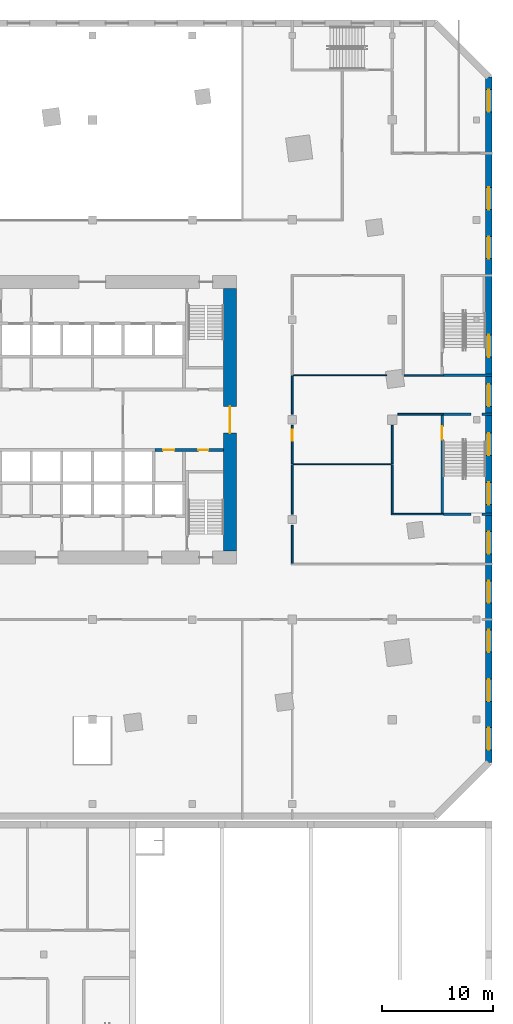
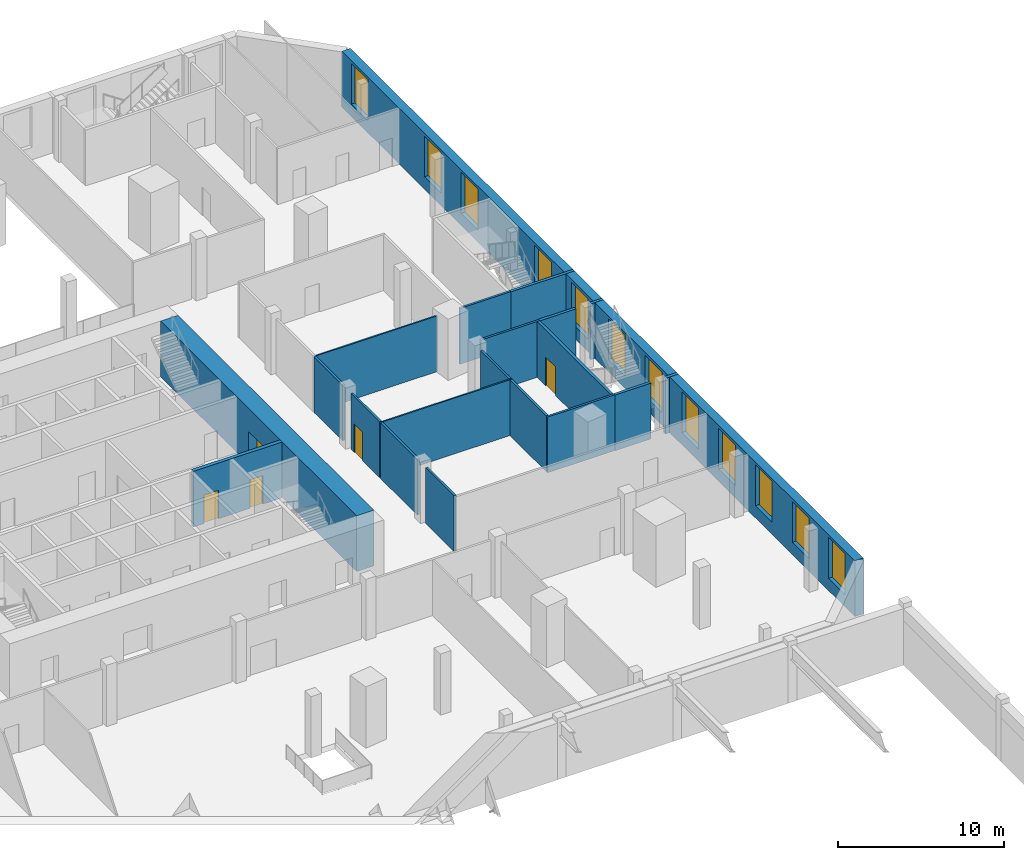
# One storey, part 14 of 27: 20 walls, 12 windows, 5 doors, 17 openings.
"""IFC4 building model written with IfcOpenShell, lengths in metres."""

from ifc_helpers import new_model, si_unit, direction, frame, frame_2d, origin, place, context, subcontext, project, spatial, rectangle, extrude, material, layer, layer_set, type_object, element, fill, save


model = new_model("IFC4")

# Units and contexts
model_context = context("Model", 3, precision=1e-05, world=origin(), true_north=direction((0.0, 1.0)))
body_context = subcontext(model_context, "Body", "Model", "MODEL_VIEW")
ifc_project = project(units=[si_unit("LENGTHUNIT", "METRE"), si_unit("AREAUNIT", "SQUARE_METRE"), si_unit("VOLUMEUNIT", "CUBIC_METRE"), si_unit("PLANEANGLEUNIT", "RADIAN"), si_unit("MASSUNIT", "GRAM", prefix="KILO")], contexts=[model_context])

# Site, building, storey
site_placement = place(None, origin())
site = spatial("IfcSite", under=ifc_project, at=site_placement, CompositionType="ELEMENT")
building_placement = place(site_placement, origin())
building = spatial("IfcBuilding", under=site, at=building_placement, Name="Dilmun Exchange Tower", CompositionType="ELEMENT")
storey_placement = place(building_placement, frame((0.0, 0.0, 4.5)))
storey = spatial("IfcBuildingStorey", under=building, at=storey_placement, Name="L01", CompositionType="ELEMENT", Elevation=4.5)

# Wall, openings, doors
ifc_material_1 = material(Name="Concrete C40/50", Category="concrete")
ifc_layer_1 = layer(ifc_material_1, 0.25)
ifc_layer_set_1 = layer_set([ifc_layer_1], Name="Concrete C40/50")
wall_type_1 = type_object("IfcWallType", Name="Core partition wall 250", PredefinedType="PARTITIONING", material=ifc_layer_set_1)
wall_1_placement = place(storey_placement, frame((5.6298828125, -2.72509765625, 0.0), z_axis=(0.0, 0.0, 1.0), x_axis=(1.0, 0.0, 0.0)))
wall_1 = element("IfcWall", 1, at=wall_1_placement, inside=storey, type_object=wall_type_1, Name="L01 core partition wall 08", PredefinedType="PARTITIONING", context=body_context, shape_type="SweptSolid", body=[
    extrude(rectangle(XDim=6.1650390625, YDim=0.25, at=frame_2d((3.08251953125, 0.0))), origin(), (0.0, 0.0, 1.0), 4.10009765625),
])
opening_1_placement = place(wall_1_placement, frame((0.7451171875, 0.0, 0.0)))
opening_1 = element("IfcOpeningElement", 2, at=opening_1_placement, cuts=wall_1, Name="Opening CD4", PredefinedType="OPENING", context=body_context, shape_type="SweptSolid", body=[
    extrude(rectangle(XDim=1.0, YDim=2.10009765625, at=frame_2d((0.5, 1.050048828125))), frame((0.0, 0.135009765625, 0.0), z_axis=(0.0, -1.0, 0.0), x_axis=(1.0, 0.0, 0.0)), (0.0, 0.0, 1.0), 0.27001953125),
])
opening_2_placement = place(wall_1_placement, frame((3.919921875, 0.0, 0.0)))
opening_2 = element("IfcOpeningElement", 3, at=opening_2_placement, cuts=wall_1, Name="Opening CD6", PredefinedType="OPENING", context=body_context, shape_type="SweptSolid", body=[
    extrude(rectangle(XDim=0.89990234375, YDim=2.10009765625, at=frame_2d((0.449951171875, 1.050048828125))), frame((0.0, 0.135009765625, 0.0), z_axis=(0.0, -1.0, 0.0), x_axis=(1.0, 0.0, 0.0)), (0.0, 0.0, 1.0), 0.27001953125),
])
ifc_material_2 = material(Name="Fire-rated steel door set", Category="steel")
door_type_1 = type_object("IfcDoorType", Name="Core room door 1000x2100", OperationType="SINGLE_SWING_LEFT", PredefinedType="DOOR", material=ifc_material_2)
door_1_placement = place(opening_1_placement, origin())
door_1 = element("IfcDoor", 4, at=door_1_placement, inside=storey, type_object=door_type_1, Name="L01 door Cleaners' store", OperationType="SINGLE_SWING_RIGHT", OverallHeight=2.10009765625, OverallWidth=1.0, PredefinedType="DOOR", context=body_context, shape_type="SweptSolid", body=[
    extrude(rectangle(XDim=1.0, YDim=2.10009765625, at=frame_2d((0.5, 1.050048828125))), frame((0.0, 0.02490234375, 0.0), z_axis=(0.0, -1.0, 0.0), x_axis=(1.0, 0.0, 0.0)), (0.0, 0.0, 1.0), 0.050048828125),
])
fill(opening_1, door_1)
door_type_2 = type_object("IfcDoorType", Name="Core room door 900x2100", OperationType="SINGLE_SWING_LEFT", PredefinedType="DOOR", material=ifc_material_2)
door_2_placement = place(opening_2_placement, origin())
door_2 = element("IfcDoor", 5, at=door_2_placement, inside=storey, type_object=door_type_2, Name="L01 door Comms riser", OperationType="SINGLE_SWING_RIGHT", OverallHeight=2.10009765625, OverallWidth=0.89990234375, PredefinedType="DOOR", context=body_context, shape_type="SweptSolid", body=[
    extrude(rectangle(XDim=0.89990234375, YDim=2.10009765625, at=frame_2d((0.449951171875, 1.050048828125))), frame((0.0, 0.02490234375, 0.0), z_axis=(0.0, -1.0, 0.0), x_axis=(1.0, 0.0, 0.0)), (0.0, 0.0, 1.0), 0.050048828125),
])
fill(opening_2, door_2)

# Wall, opening, door
ifc_material_3 = material(Name="Concrete C80/95", Category="concrete")
ifc_layer_2 = layer(ifc_material_3, 1.199951171875)
ifc_layer_set_2 = layer_set([ifc_layer_2], Name="Concrete C80/95")
wall_type_2 = type_object("IfcWallType", Name="Core shear wall 1200 Concrete C80/95", PredefinedType="SHEAR", material=ifc_layer_set_2)
wall_2_placement = place(storey_placement, frame((12.39990234375, -11.800048828125, 0.0), z_axis=(0.0, 0.0, 1.0), x_axis=(0.0, 1.0, 0.0)))
wall_2 = element("IfcWall", 6, at=wall_2_placement, inside=storey, type_object=wall_type_2, Name="L01 core shear wall E", PredefinedType="SHEAR", context=body_context, shape_type="SweptSolid", body=[
    extrude(rectangle(XDim=23.60009765625, YDim=1.199951171875, at=frame_2d((11.800048828125, 0.0))), origin(), (0.0, 0.0, 1.0), 4.10009765625),
])
opening_3_placement = place(wall_2_placement, frame((10.60009765625, 0.0, 0.0)))
opening_3 = element("IfcOpeningElement", 7, at=opening_3_placement, cuts=wall_2, Name="Opening CD1", PredefinedType="OPENING", context=body_context, shape_type="SweptSolid", body=[
    extrude(rectangle(XDim=2.39990234375, YDim=2.39990234375, at=frame_2d((1.199951171875, 1.199951171875))), frame((0.0, 0.60986328125, 0.0), z_axis=(0.0, -1.0, 0.0), x_axis=(1.0, 0.0, 0.0)), (0.0, 0.0, 1.0), 1.219970703125),
])
door_type_3 = type_object("IfcDoorType", Name="Core lobby door 2400x2400", OperationType="DOUBLE_DOOR_DOUBLE_SWING", PredefinedType="DOOR", material=ifc_material_2)
door_3_placement = place(opening_3_placement, origin())
door_3 = element("IfcDoor", 8, at=door_3_placement, inside=storey, type_object=door_type_3, Name="L01 door Central lift lobby", OperationType="SINGLE_SWING_LEFT", OverallHeight=2.39990234375, OverallWidth=2.39990234375, PredefinedType="DOOR", context=body_context, shape_type="SweptSolid", body=[
    extrude(rectangle(XDim=2.39990234375, YDim=2.39990234375, at=frame_2d((1.199951171875, 1.199951171875))), frame((0.0, 0.02490234375, 0.0), z_axis=(0.0, -1.0, 0.0), x_axis=(1.0, 0.0, 0.0)), (0.0, 0.0, 1.0), 0.050048828125),
])
fill(opening_3, door_3)

# Walls
ifc_material_4 = material(Name="Fire partition EI 60 150 gypsum")
ifc_layer_3 = layer(ifc_material_4, 0.14990234375)
ifc_layer_set_3 = layer_set([ifc_layer_3], Name="Fire partition EI 60 150 gypsum")
wall_type_3 = type_object("IfcWallType", Name="Fire partition EI 60 150 gypsum", PredefinedType="PARTITIONING", material=ifc_layer_set_3)
wall_3_placement = place(storey_placement, frame((26.925048828125, -8.5, 0.0), z_axis=(0.0, 0.0, 1.0), x_axis=(1.0, 0.0, 0.0)))
element("IfcWall", 9, at=wall_3_placement, inside=storey, type_object=wall_type_3, Name="L01 partition", PredefinedType="PARTITIONING", context=body_context, shape_type="SweptSolid", body=[
    extrude(rectangle(XDim=4.675048828125, YDim=0.14990234375, at=frame_2d((2.33740234375, 0.0))), origin(), (0.0, 0.0, 1.0), 4.10009765625),
])
wall_4_placement = place(storey_placement, frame((27.5, 0.5, 0.0), z_axis=(0.0, 0.0, 1.0), x_axis=(1.0, 0.0, 0.0)))
element("IfcWall", 10, at=wall_4_placement, inside=storey, type_object=wall_type_3, Name="L01 partition", PredefinedType="PARTITIONING", context=body_context, shape_type="SweptSolid", body=[
    extrude(rectangle(XDim=4.10009765625, YDim=0.14990234375, at=frame_2d((2.050048828125, 0.0))), origin(), (0.0, 0.0, 1.0), 4.10009765625),
])
wall_5_placement = place(storey_placement, frame((28.074951171875, 4.0, 0.0), z_axis=(0.0, 0.0, 1.0), x_axis=(1.0, 0.0, 0.0)))
element("IfcWall", 11, at=wall_5_placement, inside=storey, type_object=wall_type_3, Name="L01 partition", PredefinedType="PARTITIONING", context=body_context, shape_type="SweptSolid", body=[
    extrude(rectangle(XDim=3.525146484375, YDim=0.14990234375, at=frame_2d((1.7626953125, 0.0))), origin(), (0.0, 0.0, 1.0), 4.10009765625),
])
wall_6_placement = place(storey_placement, frame((18.0, -12.925048828125, 0.0), z_axis=(0.0, 0.0, 1.0), x_axis=(0.0, 1.0, 0.0)))
element("IfcWall", 12, at=wall_6_placement, inside=storey, type_object=wall_type_3, Name="L01 partition", PredefinedType="PARTITIONING", context=body_context, shape_type="SweptSolid", body=[
    extrude(rectangle(XDim=3.425048828125, YDim=0.14990234375, at=frame_2d((1.71240234375, 0.0))), origin(), (0.0, 0.0, 1.0), 4.10009765625),
])
wall_7_placement = place(storey_placement, frame((18.0, -8.5, 0.0), z_axis=(0.0, 0.0, 1.0), x_axis=(0.0, 1.0, 0.0)))
element("IfcWall", 13, at=wall_7_placement, inside=storey, type_object=wall_type_3, Name="L01 partition", PredefinedType="PARTITIONING", context=body_context, shape_type="SweptSolid", body=[
    extrude(rectangle(XDim=4.449951171875, YDim=0.14990234375, at=frame_2d((2.22509765625, 0.0))), origin(), (0.0, 0.0, 1.0), 4.10009765625),
])

# Wall, opening, door
wall_8_placement = place(storey_placement, frame((18.0, -3.949951171875, 0.0), z_axis=(0.0, 0.0, 1.0), x_axis=(0.0, 1.0, 0.0)))
wall_8 = element("IfcWall", 14, at=wall_8_placement, inside=storey, type_object=wall_type_3, Name="L01 partition", PredefinedType="PARTITIONING", context=body_context, shape_type="SweptSolid", body=[
    extrude(rectangle(XDim=3.449951171875, YDim=0.14990234375, at=frame_2d((1.72509765625, 0.0))), origin(), (0.0, 0.0, 1.0), 4.10009765625),
])
opening_4_placement = place(wall_8_placement, frame((2.050048828125, 0.0, 0.0)))
opening_4 = element("IfcOpeningElement", 15, at=opening_4_placement, cuts=wall_8, Name="Opening L01-D020", PredefinedType="OPENING", context=body_context, shape_type="SweptSolid", body=[
    extrude(rectangle(XDim=1.0, YDim=2.10009765625, at=frame_2d((0.5, 1.050048828125))), frame((0.0, 0.0849609375, 0.0), z_axis=(0.0, -1.0, 0.0), x_axis=(1.0, 0.0, 0.0)), (0.0, 0.0, 1.0), 0.169921875),
])
ifc_material_5 = material(Name="Fire door FD60 1000 x 2100")
door_type_4 = type_object("IfcDoorType", Name="Fire door FD60 1000 x 2100", OperationType="SINGLE_SWING_LEFT", PredefinedType="DOOR", material=ifc_material_5)
door_4_placement = place(opening_4_placement, origin())
door_4 = element("IfcDoor", 16, at=door_4_placement, inside=storey, type_object=door_type_4, Name="L01 door L01-D020", OperationType="SINGLE_SWING_RIGHT", OverallHeight=2.10009765625, OverallWidth=1.0, PredefinedType="DOOR", context=body_context, shape_type="SweptSolid", body=[
    extrude(rectangle(XDim=1.0, YDim=2.10009765625, at=frame_2d((0.5, 1.050048828125))), frame((0.0, 0.02490234375, 0.0), z_axis=(0.0, -1.0, 0.0), x_axis=(1.0, 0.0, 0.0)), (0.0, 0.0, 1.0), 0.050048828125),
])
fill(opening_4, door_4)

# Walls
wall_9_placement = place(storey_placement, frame((18.0, 0.5, 0.0), z_axis=(0.0, 0.0, 1.0), x_axis=(0.0, 1.0, 0.0)))
element("IfcWall", 17, at=wall_9_placement, inside=storey, type_object=wall_type_3, Name="L01 partition", PredefinedType="PARTITIONING", context=body_context, shape_type="SweptSolid", body=[
    extrude(rectangle(XDim=3.449951171875, YDim=0.14990234375, at=frame_2d((1.72509765625, 0.0))), origin(), (0.0, 0.0, 1.0), 4.10009765625),
])
wall_10_placement = place(storey_placement, frame((27.0, -8.425048828125, 0.0), z_axis=(0.0, 0.0, 1.0), x_axis=(0.0, 1.0, 0.0)))
element("IfcWall", 18, at=wall_10_placement, inside=storey, type_object=wall_type_3, Name="L01 partition", PredefinedType="PARTITIONING", context=body_context, shape_type="SweptSolid", body=[
    extrude(rectangle(XDim=4.375, YDim=0.14990234375, at=frame_2d((2.1875, 0.0))), origin(), (0.0, 0.0, 1.0), 4.10009765625),
])
wall_11_placement = place(storey_placement, frame((27.0, -3.949951171875, 0.0), z_axis=(0.0, 0.0, 1.0), x_axis=(0.0, 1.0, 0.0)))
element("IfcWall", 19, at=wall_11_placement, inside=storey, type_object=wall_type_3, Name="L01 partition", PredefinedType="PARTITIONING", context=body_context, shape_type="SweptSolid", body=[
    extrude(rectangle(XDim=3.449951171875, YDim=0.14990234375, at=frame_2d((1.72509765625, 0.0))), origin(), (0.0, 0.0, 1.0), 4.10009765625),
])
ifc_material_6 = material(Name="Fire wall EI 120 200 blockwork", Category="masonry")
ifc_layer_4 = layer(ifc_material_6, 0.199951171875)
ifc_layer_set_4 = layer_set([ifc_layer_4], Name="Fire wall EI 120 200 blockwork")
wall_type_4 = type_object("IfcWallType", Name="Fire wall EI 120 200 blockwork", PredefinedType="PARTITIONING", material=ifc_layer_set_4)
wall_12_placement = place(storey_placement, frame((31.60009765625, -8.5, 0.0), z_axis=(0.0, 0.0, 1.0), x_axis=(1.0, 0.0, 0.0)))
element("IfcWall", 20, at=wall_12_placement, inside=storey, type_object=wall_type_4, Name="L01 stair wall", PredefinedType="PARTITIONING", context=body_context, shape_type="SweptSolid", body=[
    extrude(rectangle(XDim=2.5, YDim=0.199951171875, at=frame_2d((1.25, 0.0))), origin(), (0.0, 0.0, 1.0), 4.10009765625),
])
wall_13_placement = place(storey_placement, frame((35.10009765625, -8.5, 0.0), z_axis=(0.0, 0.0, 1.0), x_axis=(1.0, 0.0, 0.0)))
element("IfcWall", 21, at=wall_13_placement, inside=storey, type_object=wall_type_4, Name="L01 stair wall", PredefinedType="PARTITIONING", context=body_context, shape_type="SweptSolid", body=[
    extrude(rectangle(XDim=0.89990234375, YDim=0.199951171875, at=frame_2d((0.449951171875, 0.0))), origin(), (0.0, 0.0, 1.0), 4.10009765625),
])
wall_14_placement = place(storey_placement, frame((31.60009765625, 0.5, 0.0), z_axis=(0.0, 0.0, 1.0), x_axis=(1.0, 0.0, 0.0)))
element("IfcWall", 22, at=wall_14_placement, inside=storey, type_object=wall_type_4, Name="L01 stair wall", PredefinedType="PARTITIONING", context=body_context, shape_type="SweptSolid", body=[
    extrude(rectangle(XDim=2.5, YDim=0.199951171875, at=frame_2d((1.25, 0.0))), origin(), (0.0, 0.0, 1.0), 4.10009765625),
])
wall_15_placement = place(storey_placement, frame((35.10009765625, 0.5, 0.0), z_axis=(0.0, 0.0, 1.0), x_axis=(1.0, 0.0, 0.0)))
element("IfcWall", 23, at=wall_15_placement, inside=storey, type_object=wall_type_4, Name="L01 stair wall", PredefinedType="PARTITIONING", context=body_context, shape_type="SweptSolid", body=[
    extrude(rectangle(XDim=0.89990234375, YDim=0.199951171875, at=frame_2d((0.449951171875, 0.0))), origin(), (0.0, 0.0, 1.0), 4.10009765625),
])
wall_16_placement = place(storey_placement, frame((31.60009765625, 4.0, 0.0), z_axis=(0.0, 0.0, 1.0), x_axis=(1.0, 0.0, 0.0)))
element("IfcWall", 24, at=wall_16_placement, inside=storey, type_object=wall_type_4, Name="L01 stair wall", PredefinedType="PARTITIONING", context=body_context, shape_type="SweptSolid", body=[
    extrude(rectangle(XDim=4.39990234375, YDim=0.199951171875, at=frame_2d((2.199951171875, 0.0))), origin(), (0.0, 0.0, 1.0), 4.10009765625),
])

# Wall, opening, door
wall_17_placement = place(storey_placement, frame((31.5, -8.39990234375, 0.0), z_axis=(0.0, 0.0, 1.0), x_axis=(0.0, 1.0, 0.0)))
wall_17 = element("IfcWall", 25, at=wall_17_placement, inside=storey, type_object=wall_type_4, Name="L01 stair wall", PredefinedType="PARTITIONING", context=body_context, shape_type="SweptSolid", body=[
    extrude(rectangle(XDim=8.824951171875, YDim=0.199951171875, at=frame_2d((4.41259765625, 0.0))), origin(), (0.0, 0.0, 1.0), 4.10009765625),
])
opening_5_placement = place(wall_17_placement, frame((6.60009765625, 0.0, 0.0)))
opening_5 = element("IfcOpeningElement", 26, at=opening_5_placement, cuts=wall_17, Name="Opening L01-D003", PredefinedType="OPENING", context=body_context, shape_type="SweptSolid", body=[
    extrude(rectangle(XDim=1.199951171875, YDim=2.10009765625, at=frame_2d((0.60009765625, 1.050048828125))), frame((0.0, 0.10986328125, 0.0), z_axis=(0.0, -1.0, 0.0), x_axis=(1.0, 0.0, 0.0)), (0.0, 0.0, 1.0), 0.219970703125),
])
ifc_material_7 = material(Name="Stair door FD90 1200 x 2100")
door_type_5 = type_object("IfcDoorType", Name="Stair door FD90 1200 x 2100", OperationType="SINGLE_SWING_LEFT", PredefinedType="DOOR", material=ifc_material_7)
door_5_placement = place(opening_5_placement, frame((1.199951171875, 0.0, 0.0), z_axis=(0.0, 0.0, 1.0), x_axis=(-1.0, 0.0, 0.0)))
door_5 = element("IfcDoor", 27, at=door_5_placement, inside=storey, type_object=door_type_5, Name="L01 door L01-D003", OperationType="SINGLE_SWING_LEFT", OverallHeight=2.10009765625, OverallWidth=1.199951171875, PredefinedType="DOOR", context=body_context, shape_type="SweptSolid", body=[
    extrude(rectangle(XDim=1.199951171875, YDim=2.10009765625, at=frame_2d((0.60009765625, 1.050048828125))), frame((0.0, 0.02490234375, 0.0), z_axis=(0.0, -1.0, 0.0), x_axis=(1.0, 0.0, 0.0)), (0.0, 0.0, 1.0), 0.050048828125),
])
fill(opening_5, door_5)

# Walls
ifc_material_8 = material(Name="Partition 100 gypsum")
ifc_layer_5 = layer(ifc_material_8, 0.10009765625)
ifc_layer_set_5 = layer_set([ifc_layer_5], Name="Partition 100 gypsum")
wall_type_5 = type_object("IfcWallType", Name="Partition 100 gypsum", PredefinedType="PARTITIONING", material=ifc_layer_set_5)
wall_18_placement = place(storey_placement, frame((18.074951171875, -4.0, 0.0), z_axis=(0.0, 0.0, 1.0), x_axis=(1.0, 0.0, 0.0)))
element("IfcWall", 28, at=wall_18_placement, inside=storey, type_object=wall_type_5, Name="L01 partition", PredefinedType="PARTITIONING", context=body_context, shape_type="SweptSolid", body=[
    extrude(rectangle(XDim=8.85009765625, YDim=0.10009765625, at=frame_2d((4.425048828125, 0.0))), origin(), (0.0, 0.0, 1.0), 4.10009765625),
])
wall_19_placement = place(storey_placement, frame((18.074951171875, 4.0, 0.0), z_axis=(0.0, 0.0, 1.0), x_axis=(1.0, 0.0, 0.0)))
element("IfcWall", 29, at=wall_19_placement, inside=storey, type_object=wall_type_5, Name="L01 partition", PredefinedType="PARTITIONING", context=body_context, shape_type="SweptSolid", body=[
    extrude(rectangle(XDim=8.44677734375, YDim=0.10009765625, at=frame_2d((4.223388671875, 0.0))), origin(), (0.0, 0.0, 1.0), 4.10009765625),
])

# Wall, openings, windows
ifc_material_9 = material(Name="Precast concrete C50/60", Category="concrete")
ifc_layer_6 = layer(ifc_material_9, 0.60009765625)
ifc_layer_set_6 = layer_set([ifc_layer_6], Name="Precast concrete C50/60")
wall_type_6 = type_object("IfcWallType", Name="Precast stone-clad wall 600", PredefinedType="STANDARD", material=ifc_layer_set_6)
wall_20_placement = place(storey_placement, frame((35.699951171875, -30.875732421875, 0.0), z_axis=(0.0, 0.0, 1.0), x_axis=(0.0, 1.0, 0.0)))
wall_20 = element("IfcWall", 30, at=wall_20_placement, inside=storey, type_object=wall_type_6, Name="Facade wall L01-02-0", PredefinedType="STANDARD", context=body_context, shape_type="SweptSolid", body=[
    extrude(rectangle(XDim=61.75146484375, YDim=0.60009765625, at=frame_2d((30.875732421875, 0.0))), origin(), (0.0, 0.0, 1.0), 4.10009765625),
])
opening_6_placement = place(wall_20_placement, frame((1.152099609375, 0.0, 0.89990234375)))
opening_6 = element("IfcOpeningElement", 31, at=opening_6_placement, cuts=wall_20, Name="Opening W200-300", PredefinedType="OPENING", context=body_context, shape_type="SweptSolid", body=[
    extrude(rectangle(XDim=2.0, YDim=3.0, at=frame_2d((1.0, 1.5))), frame((0.0, 0.31005859375, 0.0), z_axis=(0.0, -1.0, 0.0), x_axis=(1.0, 0.0, 0.0)), (0.0, 0.0, 1.0), 0.6201171875),
])
opening_7_placement = place(wall_20_placement, frame((5.5185546875, 0.0, 0.89990234375)))
opening_7 = element("IfcOpeningElement", 32, at=opening_7_placement, cuts=wall_20, Name="Opening W200-300", PredefinedType="OPENING", context=body_context, shape_type="SweptSolid", body=[
    extrude(rectangle(XDim=2.0, YDim=3.0, at=frame_2d((1.0, 1.5))), frame((0.0, 0.31005859375, 0.0), z_axis=(0.0, -1.0, 0.0), x_axis=(1.0, 0.0, 0.0)), (0.0, 0.0, 1.0), 0.6201171875),
])
opening_8_placement = place(wall_20_placement, frame((9.947265625, 0.0, 0.89990234375)))
opening_8 = element("IfcOpeningElement", 33, at=opening_8_placement, cuts=wall_20, Name="Opening W200-300", PredefinedType="OPENING", context=body_context, shape_type="SweptSolid", body=[
    extrude(rectangle(XDim=2.0, YDim=3.0, at=frame_2d((1.0, 1.5))), frame((0.0, 0.31005859375, 0.0), z_axis=(0.0, -1.0, 0.0), x_axis=(1.0, 0.0, 0.0)), (0.0, 0.0, 1.0), 0.6201171875),
])
opening_9_placement = place(wall_20_placement, frame((14.375732421875, 0.0, 0.89990234375)))
opening_9 = element("IfcOpeningElement", 34, at=opening_9_placement, cuts=wall_20, Name="Opening W200-300", PredefinedType="OPENING", context=body_context, shape_type="SweptSolid", body=[
    extrude(rectangle(XDim=2.0, YDim=3.0, at=frame_2d((1.0, 1.5))), frame((0.0, 0.31005859375, 0.0), z_axis=(0.0, -1.0, 0.0), x_axis=(1.0, 0.0, 0.0)), (0.0, 0.0, 1.0), 0.6201171875),
])
opening_10_placement = place(wall_20_placement, frame((18.80419921875, 0.0, 0.89990234375)))
opening_10 = element("IfcOpeningElement", 35, at=opening_10_placement, cuts=wall_20, Name="Opening W200-300", PredefinedType="OPENING", context=body_context, shape_type="SweptSolid", body=[
    extrude(rectangle(XDim=2.0, YDim=3.0, at=frame_2d((1.0, 1.5))), frame((0.0, 0.31005859375, 0.0), z_axis=(0.0, -1.0, 0.0), x_axis=(1.0, 0.0, 0.0)), (0.0, 0.0, 1.0), 0.6201171875),
])
opening_11_placement = place(wall_20_placement, frame((23.23291015625, 0.0, 0.89990234375)))
opening_11 = element("IfcOpeningElement", 36, at=opening_11_placement, cuts=wall_20, Name="Opening W200-300", PredefinedType="OPENING", context=body_context, shape_type="SweptSolid", body=[
    extrude(rectangle(XDim=2.0, YDim=3.0, at=frame_2d((1.0, 1.5))), frame((0.0, 0.31005859375, 0.0), z_axis=(0.0, -1.0, 0.0), x_axis=(1.0, 0.0, 0.0)), (0.0, 0.0, 1.0), 0.6201171875),
])
opening_12_placement = place(wall_20_placement, frame((27.66162109375, 0.0, 0.89990234375)))
opening_12 = element("IfcOpeningElement", 37, at=opening_12_placement, cuts=wall_20, Name="Opening W200-300", PredefinedType="OPENING", context=body_context, shape_type="SweptSolid", body=[
    extrude(rectangle(XDim=2.0, YDim=3.0, at=frame_2d((1.0, 1.5))), frame((0.0, 0.31005859375, 0.0), z_axis=(0.0, -1.0, 0.0), x_axis=(1.0, 0.0, 0.0)), (0.0, 0.0, 1.0), 0.6201171875),
])
opening_13_placement = place(wall_20_placement, frame((32.090087890625, 0.0, 0.89990234375)))
opening_13 = element("IfcOpeningElement", 38, at=opening_13_placement, cuts=wall_20, Name="Opening W200-300", PredefinedType="OPENING", context=body_context, shape_type="SweptSolid", body=[
    extrude(rectangle(XDim=2.0, YDim=3.0, at=frame_2d((1.0, 1.5))), frame((0.0, 0.31005859375, 0.0), z_axis=(0.0, -1.0, 0.0), x_axis=(1.0, 0.0, 0.0)), (0.0, 0.0, 1.0), 0.6201171875),
])
opening_14_placement = place(wall_20_placement, frame((36.5185546875, 0.0, 0.89990234375)))
opening_14 = element("IfcOpeningElement", 39, at=opening_14_placement, cuts=wall_20, Name="Opening W200-300", PredefinedType="OPENING", context=body_context, shape_type="SweptSolid", body=[
    extrude(rectangle(XDim=2.0, YDim=3.0, at=frame_2d((1.0, 1.5))), frame((0.0, 0.31005859375, 0.0), z_axis=(0.0, -1.0, 0.0), x_axis=(1.0, 0.0, 0.0)), (0.0, 0.0, 1.0), 0.6201171875),
])
opening_15_placement = place(wall_20_placement, frame((45.375732421875, 0.0, 0.89990234375)))
opening_15 = element("IfcOpeningElement", 40, at=opening_15_placement, cuts=wall_20, Name="Opening W200-300", PredefinedType="OPENING", context=body_context, shape_type="SweptSolid", body=[
    extrude(rectangle(XDim=2.0, YDim=3.0, at=frame_2d((1.0, 1.5))), frame((0.0, 0.31005859375, 0.0), z_axis=(0.0, -1.0, 0.0), x_axis=(1.0, 0.0, 0.0)), (0.0, 0.0, 1.0), 0.6201171875),
])
opening_16_placement = place(wall_20_placement, frame((49.80419921875, 0.0, 0.89990234375)))
opening_16 = element("IfcOpeningElement", 41, at=opening_16_placement, cuts=wall_20, Name="Opening W200-300", PredefinedType="OPENING", context=body_context, shape_type="SweptSolid", body=[
    extrude(rectangle(XDim=2.0, YDim=3.0, at=frame_2d((1.0, 1.5))), frame((0.0, 0.31005859375, 0.0), z_axis=(0.0, -1.0, 0.0), x_axis=(1.0, 0.0, 0.0)), (0.0, 0.0, 1.0), 0.6201171875),
])
opening_17_placement = place(wall_20_placement, frame((58.599365234375, 0.0, 0.89990234375)))
opening_17 = element("IfcOpeningElement", 42, at=opening_17_placement, cuts=wall_20, Name="Opening W200-300", PredefinedType="OPENING", context=body_context, shape_type="SweptSolid", body=[
    extrude(rectangle(XDim=2.0, YDim=3.0, at=frame_2d((1.0, 1.5))), frame((0.0, 0.31005859375, 0.0), z_axis=(0.0, -1.0, 0.0), x_axis=(1.0, 0.0, 0.0)), (0.0, 0.0, 1.0), 0.6201171875),
])
ifc_material_10 = material(Name="Clear low-emissivity glass in aluminium frame", Category="aluminium")
window_type = type_object("IfcWindowType", Name="Punched window 2000 x 3000", PartitioningType="DOUBLE_PANEL_VERTICAL", PredefinedType="WINDOW", material=ifc_material_10)
window_1_placement = place(opening_6_placement, origin())
window_1 = element("IfcWindow", 43, at=window_1_placement, inside=storey, type_object=window_type, Name="Window 3.1", OverallHeight=3.0, OverallWidth=2.0, PartitioningType="SINGLE_PANEL", PredefinedType="WINDOW", context=body_context, shape_type="SweptSolid", body=[
    extrude(rectangle(XDim=2.0, YDim=3.0, at=frame_2d((1.0, 1.5))), frame((0.0, 0.030029296875, 0.0), z_axis=(0.0, -1.0, 0.0), x_axis=(1.0, 0.0, 0.0)), (0.0, 0.0, 1.0), 0.06005859375),
])
fill(opening_6, window_1)
window_2_placement = place(opening_7_placement, origin())
window_2 = element("IfcWindow", 44, at=window_2_placement, inside=storey, type_object=window_type, Name="Window 3.2", OverallHeight=3.0, OverallWidth=2.0, PartitioningType="SINGLE_PANEL", PredefinedType="WINDOW", context=body_context, shape_type="SweptSolid", body=[
    extrude(rectangle(XDim=2.0, YDim=3.0, at=frame_2d((1.0, 1.5))), frame((0.0, 0.030029296875, 0.0), z_axis=(0.0, -1.0, 0.0), x_axis=(1.0, 0.0, 0.0)), (0.0, 0.0, 1.0), 0.06005859375),
])
fill(opening_7, window_2)
window_3_placement = place(opening_8_placement, origin())
window_3 = element("IfcWindow", 45, at=window_3_placement, inside=storey, type_object=window_type, Name="Window 3.3", OverallHeight=3.0, OverallWidth=2.0, PartitioningType="SINGLE_PANEL", PredefinedType="WINDOW", context=body_context, shape_type="SweptSolid", body=[
    extrude(rectangle(XDim=2.0, YDim=3.0, at=frame_2d((1.0, 1.5))), frame((0.0, 0.030029296875, 0.0), z_axis=(0.0, -1.0, 0.0), x_axis=(1.0, 0.0, 0.0)), (0.0, 0.0, 1.0), 0.06005859375),
])
fill(opening_8, window_3)
window_4_placement = place(opening_9_placement, origin())
window_4 = element("IfcWindow", 46, at=window_4_placement, inside=storey, type_object=window_type, Name="Window 3.4", OverallHeight=3.0, OverallWidth=2.0, PartitioningType="SINGLE_PANEL", PredefinedType="WINDOW", context=body_context, shape_type="SweptSolid", body=[
    extrude(rectangle(XDim=2.0, YDim=3.0, at=frame_2d((1.0, 1.5))), frame((0.0, 0.030029296875, 0.0), z_axis=(0.0, -1.0, 0.0), x_axis=(1.0, 0.0, 0.0)), (0.0, 0.0, 1.0), 0.06005859375),
])
fill(opening_9, window_4)
window_5_placement = place(opening_10_placement, origin())
window_5 = element("IfcWindow", 47, at=window_5_placement, inside=storey, type_object=window_type, Name="Window 3.5", OverallHeight=3.0, OverallWidth=2.0, PartitioningType="SINGLE_PANEL", PredefinedType="WINDOW", context=body_context, shape_type="SweptSolid", body=[
    extrude(rectangle(XDim=2.0, YDim=3.0, at=frame_2d((1.0, 1.5))), frame((0.0, 0.030029296875, 0.0), z_axis=(0.0, -1.0, 0.0), x_axis=(1.0, 0.0, 0.0)), (0.0, 0.0, 1.0), 0.06005859375),
])
fill(opening_10, window_5)
window_6_placement = place(opening_11_placement, origin())
window_6 = element("IfcWindow", 48, at=window_6_placement, inside=storey, type_object=window_type, Name="Window 3.6", OverallHeight=3.0, OverallWidth=2.0, PartitioningType="SINGLE_PANEL", PredefinedType="WINDOW", context=body_context, shape_type="SweptSolid", body=[
    extrude(rectangle(XDim=2.0, YDim=3.0, at=frame_2d((1.0, 1.5))), frame((0.0, 0.030029296875, 0.0), z_axis=(0.0, -1.0, 0.0), x_axis=(1.0, 0.0, 0.0)), (0.0, 0.0, 1.0), 0.06005859375),
])
fill(opening_11, window_6)
window_7_placement = place(opening_12_placement, origin())
window_7 = element("IfcWindow", 49, at=window_7_placement, inside=storey, type_object=window_type, Name="Window 3.7", OverallHeight=3.0, OverallWidth=2.0, PartitioningType="SINGLE_PANEL", PredefinedType="WINDOW", context=body_context, shape_type="SweptSolid", body=[
    extrude(rectangle(XDim=2.0, YDim=3.0, at=frame_2d((1.0, 1.5))), frame((0.0, 0.030029296875, 0.0), z_axis=(0.0, -1.0, 0.0), x_axis=(1.0, 0.0, 0.0)), (0.0, 0.0, 1.0), 0.06005859375),
])
fill(opening_12, window_7)
window_8_placement = place(opening_13_placement, origin())
window_8 = element("IfcWindow", 50, at=window_8_placement, inside=storey, type_object=window_type, Name="Window 3.8", OverallHeight=3.0, OverallWidth=2.0, PartitioningType="SINGLE_PANEL", PredefinedType="WINDOW", context=body_context, shape_type="SweptSolid", body=[
    extrude(rectangle(XDim=2.0, YDim=3.0, at=frame_2d((1.0, 1.5))), frame((0.0, 0.030029296875, 0.0), z_axis=(0.0, -1.0, 0.0), x_axis=(1.0, 0.0, 0.0)), (0.0, 0.0, 1.0), 0.06005859375),
])
fill(opening_13, window_8)
window_9_placement = place(opening_14_placement, origin())
window_9 = element("IfcWindow", 51, at=window_9_placement, inside=storey, type_object=window_type, Name="Window 3.9", OverallHeight=3.0, OverallWidth=2.0, PartitioningType="SINGLE_PANEL", PredefinedType="WINDOW", context=body_context, shape_type="SweptSolid", body=[
    extrude(rectangle(XDim=2.0, YDim=3.0, at=frame_2d((1.0, 1.5))), frame((0.0, 0.030029296875, 0.0), z_axis=(0.0, -1.0, 0.0), x_axis=(1.0, 0.0, 0.0)), (0.0, 0.0, 1.0), 0.06005859375),
])
fill(opening_14, window_9)
window_10_placement = place(opening_15_placement, origin())
window_10 = element("IfcWindow", 52, at=window_10_placement, inside=storey, type_object=window_type, Name="Window 3.11", OverallHeight=3.0, OverallWidth=2.0, PartitioningType="SINGLE_PANEL", PredefinedType="WINDOW", context=body_context, shape_type="SweptSolid", body=[
    extrude(rectangle(XDim=2.0, YDim=3.0, at=frame_2d((1.0, 1.5))), frame((0.0, 0.030029296875, 0.0), z_axis=(0.0, -1.0, 0.0), x_axis=(1.0, 0.0, 0.0)), (0.0, 0.0, 1.0), 0.06005859375),
])
fill(opening_15, window_10)
window_11_placement = place(opening_16_placement, origin())
window_11 = element("IfcWindow", 53, at=window_11_placement, inside=storey, type_object=window_type, Name="Window 3.12", OverallHeight=3.0, OverallWidth=2.0, PartitioningType="SINGLE_PANEL", PredefinedType="WINDOW", context=body_context, shape_type="SweptSolid", body=[
    extrude(rectangle(XDim=2.0, YDim=3.0, at=frame_2d((1.0, 1.5))), frame((0.0, 0.030029296875, 0.0), z_axis=(0.0, -1.0, 0.0), x_axis=(1.0, 0.0, 0.0)), (0.0, 0.0, 1.0), 0.06005859375),
])
fill(opening_16, window_11)
window_12_placement = place(opening_17_placement, origin())
window_12 = element("IfcWindow", 54, at=window_12_placement, inside=storey, type_object=window_type, Name="Window 3.14", OverallHeight=3.0, OverallWidth=2.0, PartitioningType="SINGLE_PANEL", PredefinedType="WINDOW", context=body_context, shape_type="SweptSolid", body=[
    extrude(rectangle(XDim=2.0, YDim=3.0, at=frame_2d((1.0, 1.5))), frame((0.0, 0.030029296875, 0.0), z_axis=(0.0, -1.0, 0.0), x_axis=(1.0, 0.0, 0.0)), (0.0, 0.0, 1.0), 0.06005859375),
])
fill(opening_17, window_12)

save(model, "model.ifc")
